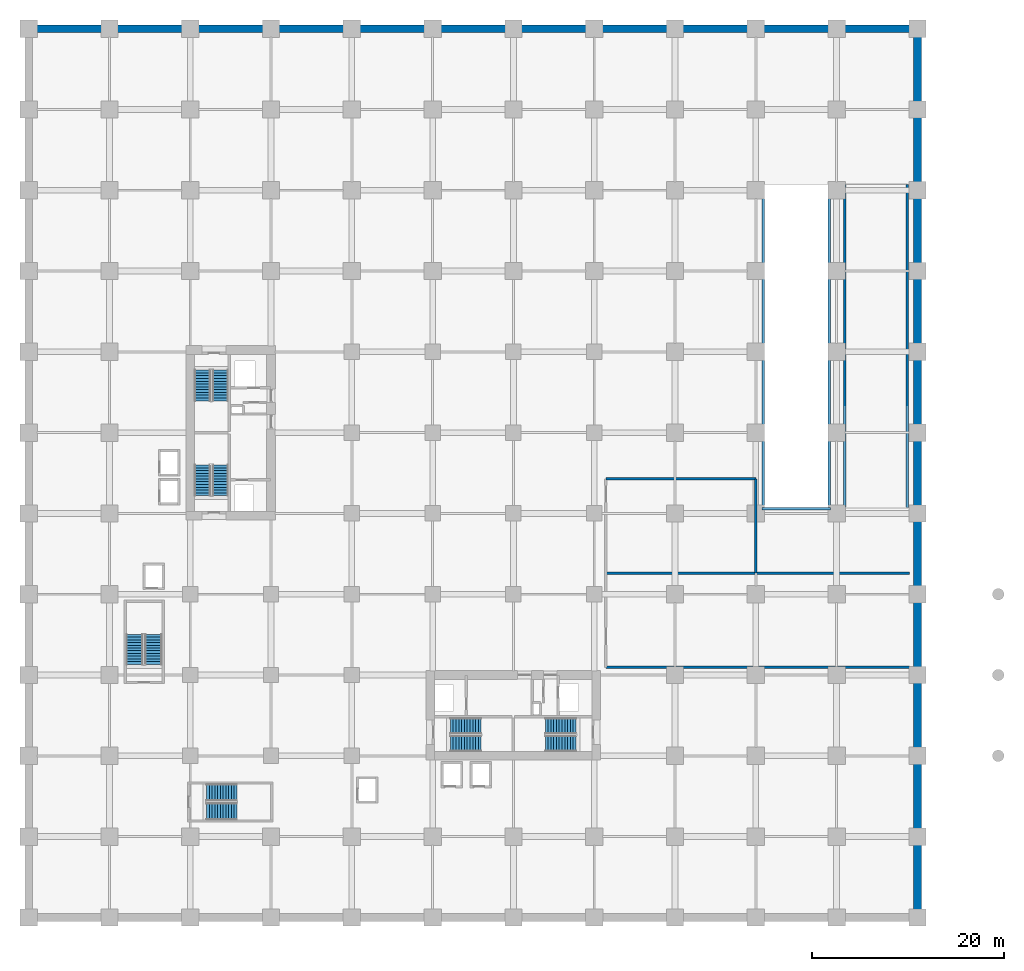
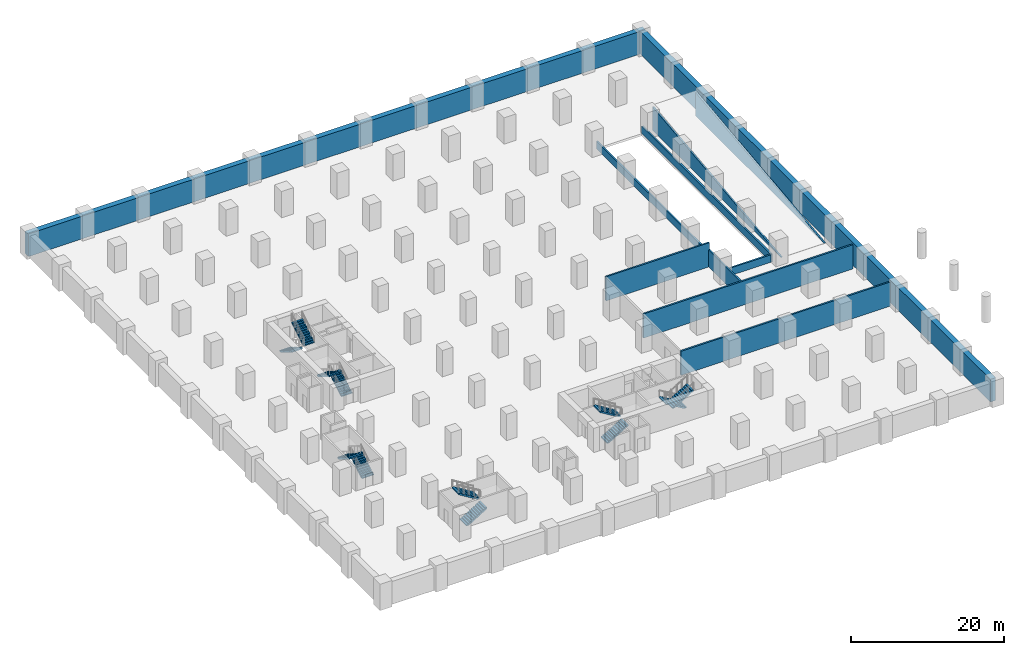
# One storey, part 10 of 13: 12 stair flights, 11 walls, 6 elements without a shape of their own.
"""IFC4 building model written with IfcOpenShell, lengths in metres."""

from ifc_helpers import new_model, si_unit, direction, frame, frame_2d, origin, place, context, subcontext, project, spatial, polyline, rectangle, outline, extrude, material, layer, layer_set, type_object, element, aggregate, save


model = new_model("IFC4")

# Units and contexts
model_context = context("Model", 3, precision=1e-05, world=origin(), true_north=direction((0.0, 1.0)))
body_context = subcontext(model_context, "Body", "Model", "MODEL_VIEW")
ifc_project = project(units=[si_unit("LENGTHUNIT", "METRE"), si_unit("AREAUNIT", "SQUARE_METRE"), si_unit("VOLUMEUNIT", "CUBIC_METRE"), si_unit("PLANEANGLEUNIT", "RADIAN"), si_unit("MASSUNIT", "GRAM", prefix="KILO")], contexts=[model_context])

# Site, building, storey
site_placement = place(None, origin())
site = spatial("IfcSite", under=ifc_project, at=site_placement, CompositionType="ELEMENT")
building_placement = place(site_placement, origin())
building = spatial("IfcBuilding", under=site, at=building_placement, Name="Koriwani Terraces Tower", CompositionType="ELEMENT")
storey_placement = place(building_placement, frame((0.0, 0.0, -4.199951171875)))
storey = spatial("IfcBuildingStorey", under=building, at=storey_placement, Name="B01", CompositionType="ELEMENT", Elevation=-4.199951171875)

# Walls
ifc_material_1 = material(Name="Concrete C50/60", Category="concrete")
ifc_layer_1 = layer(ifc_material_1, 0.800048828125, Name="Concrete C50/60")
ifc_layer_set_1 = layer_set([ifc_layer_1], Name="Concrete C50/60")
wall_type_1 = type_object("IfcWallType", Name="WALL_BASEMENT_RET_800", PredefinedType="USERDEFINED", material=ifc_layer_set_1)
wall_1_placement = place(storey_placement, frame((92.39990234375, 0.39990234375, 0.0), z_axis=(0.0, 0.0, 1.0), x_axis=(0.0, 1.0, 0.0)))
element("IfcWall", 1, at=wall_1_placement, inside=storey, type_object=wall_type_1, Name="B01 Perimeter Retaining Wall (E)", ObjectType="RETAININGWALL", PredefinedType="USERDEFINED", context=body_context, shape_type="SweptSolid", body=[
    extrude(rectangle(XDim=91.60009765625, YDim=0.800048828125, at=frame_2d((45.800048828125, 0.0))), origin(), (0.0, 0.0, 1.0), 3.619873046875),
])
wall_2_placement = place(storey_placement, frame((92.800048828125, 92.39990234375, 0.0), z_axis=(0.0, 0.0, 1.0), x_axis=(-1.0, 0.0, 0.0)))
element("IfcWall", 2, at=wall_2_placement, inside=storey, type_object=wall_type_1, Name="B01 Perimeter Retaining Wall (N)", ObjectType="RETAININGWALL", PredefinedType="USERDEFINED", context=body_context, shape_type="SweptSolid", body=[
    extrude(rectangle(XDim=93.199951171875, YDim=0.800048828125, at=frame_2d((46.60009765625, 0.0))), origin(), (0.0, 0.0, 1.0), 3.619873046875),
])
ifc_material_2 = material(Name="Concrete C40/50", Category="concrete")
ifc_layer_2 = layer(ifc_material_2, 0.25, Name="Concrete C40/50")
ifc_layer_set_2 = layer_set([ifc_layer_2], Name="Concrete C40/50")
wall_type_2 = type_object("IfcWallType", Name="WALL_SHAFT_RATED_250", PredefinedType="SOLIDWALL", material=ifc_layer_set_2)
for number, where, z_axis, x_axis, name in (
    (3, (84.85009765625, 42.60009765625, 0.0), (0.0, 0.0, 1.0), (0.0, 1.0, 0.0), "B01 Vehicle Ramp Bearing Support Wall (W)"),
    (4, (91.35009765625, 42.60009765625, 0.0), (0.0, 0.0, 1.0), (0.0, 1.0, 0.0), "B01 Vehicle Ramp Bearing Support Wall (E)"),
):
    element("IfcWall", number, at=place(storey_placement, frame(where, z_axis=z_axis, x_axis=x_axis)), inside=storey, type_object=wall_type_2, Name=name, PredefinedType="SOLIDWALL", context=body_context, shape_type="SweptSolid", body=[
        extrude(outline(polyline([(0.0, 0.0), (33.599853515625, 0.0), (33.60009765625, 3.719970703125), (0.0, 0.050048828125), (0.0, 0.0)])), frame((0.0, 0.125, 0.0), z_axis=(0.0, -1.0, 0.0), x_axis=(1.0, 0.0, 0.0)), (0.0, 0.0, 1.0), 0.25),
    ])
wall_3_placement = place(storey_placement, frame((76.375, 42.35009765625, 0.0), z_axis=(0.0, 0.0, 1.0), x_axis=(0.0, 1.0, 0.0)))
element("IfcWall", 5, at=wall_3_placement, inside=storey, type_object=wall_type_2, Name="B01 Vehicle Ramp Well Guard Parapet Wall (W)", PredefinedType="SOLIDWALL", context=body_context, shape_type="SweptSolid", body=[
    extrude(rectangle(XDim=33.849853515625, YDim=0.25, at=frame_2d((16.9248046875, 0.0))), origin(), (0.0, 0.0, 1.0), 1.199951171875),
])
wall_4_placement = place(storey_placement, frame((76.25, 42.47509765625, 0.0), z_axis=(0.0, 0.0, 1.0), x_axis=(1.0, 0.0, 0.0)))
element("IfcWall", 6, at=wall_4_placement, inside=storey, type_object=wall_type_2, Name="B01 Vehicle Ramp Well Guard Parapet Wall (S)", PredefinedType="SOLIDWALL", context=body_context, shape_type="SweptSolid", body=[
    extrude(rectangle(XDim=7.10009765625, YDim=0.25, at=frame_2d((3.550048828125, 0.0))), origin(), (0.0, 0.0, 1.0), 1.199951171875),
])
wall_5_placement = place(storey_placement, frame((83.22509765625, 42.35009765625, 0.0), z_axis=(0.0, 0.0, 1.0), x_axis=(0.0, 1.0, 0.0)))
element("IfcWall", 7, at=wall_5_placement, inside=storey, type_object=wall_type_2, Name="B01 Vehicle Ramp Well Guard Parapet Wall (E)", PredefinedType="SOLIDWALL", context=body_context, shape_type="SweptSolid", body=[
    extrude(rectangle(XDim=33.849853515625, YDim=0.25, at=frame_2d((16.9248046875, 0.0))), origin(), (0.0, 0.0, 1.0), 1.199951171875),
])
for number, where, z_axis, x_axis, name in (
    (8, (60.0, 35.800048828125, 0.0), (0.0, 0.0, 1.0), (1.0, 0.0, 0.0), "B01 Interior Wall WBAS-B01-PL2"),
    (9, (60.0, 26.0, 0.0), (0.0, 0.0, 1.0), (1.0, 0.0, 0.0), "B01 Interior Wall WBAS-B01-PL3"),
):
    element("IfcWall", number, at=place(storey_placement, frame(where, z_axis=z_axis, x_axis=x_axis)), inside=storey, type_object=wall_type_2, Name=name, PredefinedType="SOLIDWALL", context=body_context, shape_type="SweptSolid", body=[
        extrude(rectangle(XDim=31.60009765625, YDim=0.25, at=frame_2d((15.800048828125, 0.0))), origin(), (0.0, 0.0, 1.0), 3.849853515625),
    ])
wall_6_placement = place(storey_placement, frame((60.0, 45.60009765625, 0.0), z_axis=(0.0, 0.0, 1.0), x_axis=(1.0, 0.0, 0.0)))
element("IfcWall", 10, at=wall_6_placement, inside=storey, type_object=wall_type_2, Name="B01 Interior Wall WBAS-B01-PL4", PredefinedType="SOLIDWALL", context=body_context, shape_type="SweptSolid", body=[
    extrude(rectangle(XDim=15.60009765625, YDim=0.25, at=frame_2d((7.800048828125, 0.0))), origin(), (0.0, 0.0, 1.0), 3.849853515625),
])
wall_7_placement = place(storey_placement, frame((75.60009765625, 35.800048828125, 0.0), z_axis=(0.0, 0.0, 1.0), x_axis=(0.0, 1.0, 0.0)))
element("IfcWall", 11, at=wall_7_placement, inside=storey, type_object=wall_type_2, Name="B01 Interior Wall WBAS-B01-PL5", PredefinedType="SOLIDWALL", context=body_context, shape_type="SweptSolid", body=[
    extrude(rectangle(XDim=9.800048828125, YDim=0.25, at=frame_2d((4.89990234375, 0.0))), origin(), (0.0, 0.0, 1.0), 2.719970703125),
])

# Stair, stair flights
stair_type_1 = type_object("IfcStairType", Name="STAIR_PODIUM_DOGLEG_1750", PredefinedType="TWO_STRAIGHT_RUN_STAIR", material=ifc_material_2)
stair_1_placement = place(storey_placement, origin())
stair_1 = element("IfcStair", 12, at=stair_1_placement, inside=storey, type_object=stair_type_1, Name="B01 Podium West Exit Stair", PredefinedType="HALF_TURN_STAIR")
stair_flight_type_1 = type_object("IfcStairFlightType", Name="STAIR_FLIGHT_POD_1750", PredefinedType="STRAIGHT", material=ifc_material_2)
stair_flight_1_placement = place(storey_placement, frame((12.97509765625, 26.300048828125, 0.0), z_axis=(0.0, 0.0, 1.0), x_axis=(0.0, 1.0, 0.0)))
stair_flight_1 = element("IfcStairFlight", 13, at=stair_flight_1_placement, type_object=stair_flight_type_1, Name="ST-P1 flight 1", NumberOfRisers=12, NumberOfTreads=11, PredefinedType="STRAIGHT", RiserHeight=0.175, TreadLength=0.285, context=body_context, shape_type="SweptSolid", body=[
    extrude(outline(polyline([(0.0, 0.0), (0.0, 0.175048828125), (0.284912109375, 0.175048828125), (0.284912109375, 0.35009765625), (0.570068359375, 0.35009765625), (0.570068359375, 0.52490234375), (0.85498046875, 0.52490234375), (0.85498046875, 0.699951171875), (1.139892578125, 0.699951171875), (1.139892578125, 0.875), (1.425048828125, 0.875), (1.425048828125, 1.050048828125), (1.7099609375, 1.050048828125), (1.7099609375, 1.22509765625), (1.9951171875, 1.22509765625), (1.9951171875, 1.39990234375), (2.280029296875, 1.39990234375), (2.280029296875, 1.574951171875), (2.56494140625, 1.574951171875), (2.56494140625, 1.75), (2.85009765625, 1.75), (2.85009765625, 1.925048828125), (3.135009765625, 1.925048828125), (3.135009765625, 2.10009765625), (3.135009765625, 1.6904296875), (0.382080078125, 0.0), (0.0, 0.0)])), frame((0.0, 0.875, 0.0), z_axis=(0.0, -1.0, 0.0), x_axis=(1.0, 0.0, 0.0)), (0.0, 0.0, 1.0), 1.75),
])
stair_flight_2_placement = place(storey_placement, frame((11.02490234375, 29.43505859375, 2.099853515625), z_axis=(0.0, 0.0, 1.0), x_axis=(0.0, -1.0, 0.0)))
stair_flight_2 = element("IfcStairFlight", 14, at=stair_flight_2_placement, type_object=stair_flight_type_1, Name="ST-P1 flight 2", NumberOfRisers=12, NumberOfTreads=11, PredefinedType="STRAIGHT", RiserHeight=0.175, TreadLength=0.285, context=body_context, shape_type="SweptSolid", body=[
    extrude(outline(polyline([(0.0, 0.0), (0.0, 0.175048828125), (0.284912109375, 0.175048828125), (0.284912109375, 0.35009765625), (0.570068359375, 0.35009765625), (0.570068359375, 0.52490234375), (0.85498046875, 0.52490234375), (0.85498046875, 0.699951171875), (1.139892578125, 0.699951171875), (1.139892578125, 0.875), (1.425048828125, 0.875), (1.425048828125, 1.050048828125), (1.7099609375, 1.050048828125), (1.7099609375, 1.22509765625), (1.9951171875, 1.22509765625), (1.9951171875, 1.39990234375), (2.280029296875, 1.39990234375), (2.280029296875, 1.574951171875), (2.56494140625, 1.574951171875), (2.56494140625, 1.75), (2.85009765625, 1.75), (2.85009765625, 1.925048828125), (3.135009765625, 1.925048828125), (3.135009765625, 2.10009765625), (3.135009765625, 1.6904296875), (0.382080078125, 0.0), (0.0, 0.0)])), frame((0.0, 0.875, 0.0), z_axis=(0.0, -1.0, 0.0), x_axis=(1.0, 0.0, 0.0)), (0.0, 0.0, 1.0), 1.75),
])
aggregate(stair_1, [stair_flight_1, stair_flight_2])

stair_2_placement = place(storey_placement, origin())
stair_2 = element("IfcStair", 15, at=stair_2_placement, inside=storey, type_object=stair_type_1, Name="B01 Podium South Exit Stair", PredefinedType="HALF_TURN_STAIR")
stair_flight_3_placement = place(storey_placement, frame((18.5, 11.02490234375, 0.0), z_axis=(0.0, 0.0, 1.0), x_axis=(1.0, 0.0, 0.0)))
stair_flight_3 = element("IfcStairFlight", 16, at=stair_flight_3_placement, type_object=stair_flight_type_1, Name="ST-P2 flight 1", NumberOfRisers=12, NumberOfTreads=11, PredefinedType="STRAIGHT", RiserHeight=0.175, TreadLength=0.285, context=body_context, shape_type="SweptSolid", body=[
    extrude(outline(polyline([(0.0, 0.0), (0.0, 0.175048828125), (0.284912109375, 0.175048828125), (0.284912109375, 0.35009765625), (0.570068359375, 0.35009765625), (0.570068359375, 0.52490234375), (0.85498046875, 0.52490234375), (0.85498046875, 0.699951171875), (1.139892578125, 0.699951171875), (1.139892578125, 0.875), (1.425048828125, 0.875), (1.425048828125, 1.050048828125), (1.7099609375, 1.050048828125), (1.7099609375, 1.22509765625), (1.9951171875, 1.22509765625), (1.9951171875, 1.39990234375), (2.280029296875, 1.39990234375), (2.280029296875, 1.574951171875), (2.56494140625, 1.574951171875), (2.56494140625, 1.75), (2.85009765625, 1.75), (2.85009765625, 1.925048828125), (3.135009765625, 1.925048828125), (3.135009765625, 2.10009765625), (3.135009765625, 1.6904296875), (0.382080078125, 0.0), (0.0, 0.0)])), frame((0.0, 0.875, 0.0), z_axis=(0.0, -1.0, 0.0), x_axis=(1.0, 0.0, 0.0)), (0.0, 0.0, 1.0), 1.75),
])
stair_flight_4_placement = place(storey_placement, frame((21.635009765625, 12.97509765625, 2.099853515625), z_axis=(0.0, 0.0, 1.0), x_axis=(-1.0, 0.0, 0.0)))
stair_flight_4 = element("IfcStairFlight", 17, at=stair_flight_4_placement, type_object=stair_flight_type_1, Name="ST-P2 flight 2", NumberOfRisers=12, NumberOfTreads=11, PredefinedType="STRAIGHT", RiserHeight=0.175, TreadLength=0.285, context=body_context, shape_type="SweptSolid", body=[
    extrude(outline(polyline([(0.0, 0.0), (0.0, 0.175048828125), (0.284912109375, 0.175048828125), (0.284912109375, 0.35009765625), (0.570068359375, 0.35009765625), (0.570068359375, 0.52490234375), (0.85498046875, 0.52490234375), (0.85498046875, 0.699951171875), (1.139892578125, 0.699951171875), (1.139892578125, 0.875), (1.425048828125, 0.875), (1.425048828125, 1.050048828125), (1.7099609375, 1.050048828125), (1.7099609375, 1.22509765625), (1.9951171875, 1.22509765625), (1.9951171875, 1.39990234375), (2.280029296875, 1.39990234375), (2.280029296875, 1.574951171875), (2.56494140625, 1.574951171875), (2.56494140625, 1.75), (2.85009765625, 1.75), (2.85009765625, 1.925048828125), (3.135009765625, 1.925048828125), (3.135009765625, 2.10009765625), (3.135009765625, 1.6904296875), (0.382080078125, 0.0), (0.0, 0.0)])), frame((0.0, 0.875, 0.0), z_axis=(0.0, -1.0, 0.0), x_axis=(1.0, 0.0, 0.0)), (0.0, 0.0, 1.0), 1.75),
])
aggregate(stair_2, [stair_flight_3, stair_flight_4])

stair_type_2 = type_object("IfcStairType", Name="STAIR_CORE_DOGLEG_1650", PredefinedType="TWO_STRAIGHT_RUN_STAIR", material=ifc_material_2)
stair_3_placement = place(storey_placement, origin())
stair_3 = element("IfcStair", 18, at=stair_3_placement, inside=storey, type_object=stair_type_2, Name="B01 West Core Exit Stair 1", PredefinedType="HALF_TURN_STAIR")
stair_flight_type_2 = type_object("IfcStairFlightType", Name="STAIR_FLIGHT_RC_1650", PredefinedType="STRAIGHT", material=ifc_material_2)
stair_flight_5_placement = place(storey_placement, frame((19.925048828125, 43.85009765625, 0.0), z_axis=(0.0, 0.0, 1.0), x_axis=(0.0, 1.0, 0.0)))
stair_flight_5 = element("IfcStairFlight", 19, at=stair_flight_5_placement, type_object=stair_flight_type_2, Name="ST-W1 flight 1", NumberOfRisers=12, NumberOfTreads=11, PredefinedType="STRAIGHT", RiserHeight=0.175, TreadLength=0.29, context=body_context, shape_type="SweptSolid", body=[
    extrude(outline(polyline([(0.0, 0.0), (0.0, 0.175048828125), (0.2900390625, 0.175048828125), (0.2900390625, 0.35009765625), (0.580078125, 0.35009765625), (0.580078125, 0.52490234375), (0.8701171875, 0.52490234375), (0.8701171875, 0.699951171875), (1.159912109375, 0.699951171875), (1.159912109375, 0.875), (1.449951171875, 0.875), (1.449951171875, 1.050048828125), (1.739990234375, 1.050048828125), (1.739990234375, 1.22509765625), (2.030029296875, 1.22509765625), (2.030029296875, 1.39990234375), (2.320068359375, 1.39990234375), (2.320068359375, 1.574951171875), (2.610107421875, 1.574951171875), (2.610107421875, 1.75), (2.89990234375, 1.75), (2.89990234375, 1.925048828125), (3.18994140625, 1.925048828125), (3.18994140625, 2.10009765625), (3.18994140625, 1.71484375), (0.34814453125, 0.0), (0.0, 0.0)])), frame((0.0, 0.824951171875, 0.0), z_axis=(0.0, -1.0, 0.0), x_axis=(1.0, 0.0, 0.0)), (0.0, 0.0, 1.0), 1.64990234375),
])
stair_flight_6_placement = place(storey_placement, frame((18.074951171875, 47.0400390625, 2.099853515625), z_axis=(0.0, 0.0, 1.0), x_axis=(0.0, -1.0, 0.0)))
stair_flight_6 = element("IfcStairFlight", 20, at=stair_flight_6_placement, type_object=stair_flight_type_2, Name="ST-W1 flight 2", NumberOfRisers=12, NumberOfTreads=11, PredefinedType="STRAIGHT", RiserHeight=0.175, TreadLength=0.29, context=body_context, shape_type="SweptSolid", body=[
    extrude(outline(polyline([(0.0, 0.0), (0.0, 0.175048828125), (0.2900390625, 0.175048828125), (0.2900390625, 0.35009765625), (0.580078125, 0.35009765625), (0.580078125, 0.52490234375), (0.8701171875, 0.52490234375), (0.8701171875, 0.699951171875), (1.159912109375, 0.699951171875), (1.159912109375, 0.875), (1.449951171875, 0.875), (1.449951171875, 1.050048828125), (1.739990234375, 1.050048828125), (1.739990234375, 1.22509765625), (2.030029296875, 1.22509765625), (2.030029296875, 1.39990234375), (2.320068359375, 1.39990234375), (2.320068359375, 1.574951171875), (2.610107421875, 1.574951171875), (2.610107421875, 1.75), (2.89990234375, 1.75), (2.89990234375, 1.925048828125), (3.18994140625, 1.925048828125), (3.18994140625, 2.10009765625), (3.18994140625, 1.71484375), (0.34814453125, 0.0), (0.0, 0.0)])), frame((0.0, 0.824951171875, 0.0), z_axis=(0.0, -1.0, 0.0), x_axis=(1.0, 0.0, 0.0)), (0.0, 0.0, 1.0), 1.64990234375),
])
aggregate(stair_3, [stair_flight_5, stair_flight_6])

stair_4_placement = place(storey_placement, origin())
stair_4 = element("IfcStair", 21, at=stair_4_placement, inside=storey, type_object=stair_type_2, Name="B01 West Core Exit Stair 2", PredefinedType="HALF_TURN_STAIR")
stair_flight_7_placement = place(storey_placement, frame((18.074951171875, 56.89990234375, 0.0), z_axis=(0.0, 0.0, 1.0), x_axis=(0.0, -1.0, 0.0)))
stair_flight_7 = element("IfcStairFlight", 22, at=stair_flight_7_placement, type_object=stair_flight_type_2, Name="ST-W2 flight 1", NumberOfRisers=12, NumberOfTreads=11, PredefinedType="STRAIGHT", RiserHeight=0.175, TreadLength=0.29, context=body_context, shape_type="SweptSolid", body=[
    extrude(outline(polyline([(0.0, 0.0), (0.0, 0.175048828125), (0.2900390625, 0.175048828125), (0.2900390625, 0.35009765625), (0.580078125, 0.35009765625), (0.580078125, 0.52490234375), (0.8701171875, 0.52490234375), (0.8701171875, 0.699951171875), (1.159912109375, 0.699951171875), (1.159912109375, 0.875), (1.449951171875, 0.875), (1.449951171875, 1.050048828125), (1.739990234375, 1.050048828125), (1.739990234375, 1.22509765625), (2.030029296875, 1.22509765625), (2.030029296875, 1.39990234375), (2.320068359375, 1.39990234375), (2.320068359375, 1.574951171875), (2.610107421875, 1.574951171875), (2.610107421875, 1.75), (2.89990234375, 1.75), (2.89990234375, 1.925048828125), (3.18994140625, 1.925048828125), (3.18994140625, 2.10009765625), (3.18994140625, 1.71484375), (0.34814453125, 0.0), (0.0, 0.0)])), frame((0.0, 0.824951171875, 0.0), z_axis=(0.0, -1.0, 0.0), x_axis=(1.0, 0.0, 0.0)), (0.0, 0.0, 1.0), 1.64990234375),
])
stair_flight_8_placement = place(storey_placement, frame((19.925048828125, 53.7099609375, 2.099853515625), z_axis=(0.0, 0.0, 1.0), x_axis=(0.0, 1.0, 0.0)))
stair_flight_8 = element("IfcStairFlight", 23, at=stair_flight_8_placement, type_object=stair_flight_type_2, Name="ST-W2 flight 2", NumberOfRisers=12, NumberOfTreads=11, PredefinedType="STRAIGHT", RiserHeight=0.175, TreadLength=0.29, context=body_context, shape_type="SweptSolid", body=[
    extrude(outline(polyline([(0.0, 0.0), (0.0, 0.175048828125), (0.2900390625, 0.175048828125), (0.2900390625, 0.35009765625), (0.580078125, 0.35009765625), (0.580078125, 0.52490234375), (0.8701171875, 0.52490234375), (0.8701171875, 0.699951171875), (1.159912109375, 0.699951171875), (1.159912109375, 0.875), (1.449951171875, 0.875), (1.449951171875, 1.050048828125), (1.739990234375, 1.050048828125), (1.739990234375, 1.22509765625), (2.030029296875, 1.22509765625), (2.030029296875, 1.39990234375), (2.320068359375, 1.39990234375), (2.320068359375, 1.574951171875), (2.610107421875, 1.574951171875), (2.610107421875, 1.75), (2.89990234375, 1.75), (2.89990234375, 1.925048828125), (3.18994140625, 1.925048828125), (3.18994140625, 2.10009765625), (3.18994140625, 1.71484375), (0.34814453125, 0.0), (0.0, 0.0)])), frame((0.0, 0.824951171875, 0.0), z_axis=(0.0, -1.0, 0.0), x_axis=(1.0, 0.0, 0.0)), (0.0, 0.0, 1.0), 1.64990234375),
])
aggregate(stair_4, [stair_flight_7, stair_flight_8])

stair_5_placement = place(storey_placement, origin())
stair_5 = element("IfcStair", 24, at=stair_5_placement, inside=storey, type_object=stair_type_2, Name="B01 East Core Exit Stair 1", PredefinedType="HALF_TURN_STAIR")
stair_flight_9_placement = place(storey_placement, frame((43.85009765625, 18.074951171875, 0.0), z_axis=(0.0, 0.0, 1.0), x_axis=(1.0, 0.0, 0.0)))
stair_flight_9 = element("IfcStairFlight", 25, at=stair_flight_9_placement, type_object=stair_flight_type_2, Name="ST-E1 flight 1", NumberOfRisers=12, NumberOfTreads=11, PredefinedType="STRAIGHT", RiserHeight=0.175, TreadLength=0.29, context=body_context, shape_type="SweptSolid", body=[
    extrude(outline(polyline([(0.0, 0.0), (0.0, 0.175048828125), (0.2900390625, 0.175048828125), (0.2900390625, 0.35009765625), (0.580078125, 0.35009765625), (0.580078125, 0.52490234375), (0.8701171875, 0.52490234375), (0.8701171875, 0.699951171875), (1.159912109375, 0.699951171875), (1.159912109375, 0.875), (1.449951171875, 0.875), (1.449951171875, 1.050048828125), (1.739990234375, 1.050048828125), (1.739990234375, 1.22509765625), (2.030029296875, 1.22509765625), (2.030029296875, 1.39990234375), (2.320068359375, 1.39990234375), (2.320068359375, 1.574951171875), (2.610107421875, 1.574951171875), (2.610107421875, 1.75), (2.89990234375, 1.75), (2.89990234375, 1.925048828125), (3.18994140625, 1.925048828125), (3.18994140625, 2.10009765625), (3.18994140625, 1.71484375), (0.34814453125, 0.0), (0.0, 0.0)])), frame((0.0, 0.824951171875, 0.0), z_axis=(0.0, -1.0, 0.0), x_axis=(1.0, 0.0, 0.0)), (0.0, 0.0, 1.0), 1.64990234375),
])
stair_flight_10_placement = place(storey_placement, frame((47.0400390625, 19.925048828125, 2.099853515625), z_axis=(0.0, 0.0, 1.0), x_axis=(-1.0, 0.0, 0.0)))
stair_flight_10 = element("IfcStairFlight", 26, at=stair_flight_10_placement, type_object=stair_flight_type_2, Name="ST-E1 flight 2", NumberOfRisers=12, NumberOfTreads=11, PredefinedType="STRAIGHT", RiserHeight=0.175, TreadLength=0.29, context=body_context, shape_type="SweptSolid", body=[
    extrude(outline(polyline([(0.0, 0.0), (0.0, 0.175048828125), (0.2900390625, 0.175048828125), (0.2900390625, 0.35009765625), (0.580078125, 0.35009765625), (0.580078125, 0.52490234375), (0.8701171875, 0.52490234375), (0.8701171875, 0.699951171875), (1.159912109375, 0.699951171875), (1.159912109375, 0.875), (1.449951171875, 0.875), (1.449951171875, 1.050048828125), (1.739990234375, 1.050048828125), (1.739990234375, 1.22509765625), (2.030029296875, 1.22509765625), (2.030029296875, 1.39990234375), (2.320068359375, 1.39990234375), (2.320068359375, 1.574951171875), (2.610107421875, 1.574951171875), (2.610107421875, 1.75), (2.89990234375, 1.75), (2.89990234375, 1.925048828125), (3.18994140625, 1.925048828125), (3.18994140625, 2.10009765625), (3.18994140625, 1.71484375), (0.34814453125, 0.0), (0.0, 0.0)])), frame((0.0, 0.824951171875, 0.0), z_axis=(0.0, -1.0, 0.0), x_axis=(1.0, 0.0, 0.0)), (0.0, 0.0, 1.0), 1.64990234375),
])
aggregate(stair_5, [stair_flight_9, stair_flight_10])

stair_6_placement = place(storey_placement, origin())
stair_6 = element("IfcStair", 27, at=stair_6_placement, inside=storey, type_object=stair_type_2, Name="B01 East Core Exit Stair 2", PredefinedType="HALF_TURN_STAIR")
stair_flight_11_placement = place(storey_placement, frame((56.89990234375, 19.925048828125, 0.0), z_axis=(0.0, 0.0, 1.0), x_axis=(-1.0, 0.0, 0.0)))
stair_flight_11 = element("IfcStairFlight", 28, at=stair_flight_11_placement, type_object=stair_flight_type_2, Name="ST-E2 flight 1", NumberOfRisers=12, NumberOfTreads=11, PredefinedType="STRAIGHT", RiserHeight=0.175, TreadLength=0.29, context=body_context, shape_type="SweptSolid", body=[
    extrude(outline(polyline([(0.0, 0.0), (0.0, 0.175048828125), (0.2900390625, 0.175048828125), (0.2900390625, 0.35009765625), (0.580078125, 0.35009765625), (0.580078125, 0.52490234375), (0.8701171875, 0.52490234375), (0.8701171875, 0.699951171875), (1.159912109375, 0.699951171875), (1.159912109375, 0.875), (1.449951171875, 0.875), (1.449951171875, 1.050048828125), (1.739990234375, 1.050048828125), (1.739990234375, 1.22509765625), (2.030029296875, 1.22509765625), (2.030029296875, 1.39990234375), (2.320068359375, 1.39990234375), (2.320068359375, 1.574951171875), (2.610107421875, 1.574951171875), (2.610107421875, 1.75), (2.89990234375, 1.75), (2.89990234375, 1.925048828125), (3.18994140625, 1.925048828125), (3.18994140625, 2.10009765625), (3.18994140625, 1.71484375), (0.34814453125, 0.0), (0.0, 0.0)])), frame((0.0, 0.824951171875, 0.0), z_axis=(0.0, -1.0, 0.0), x_axis=(1.0, 0.0, 0.0)), (0.0, 0.0, 1.0), 1.64990234375),
])
stair_flight_12_placement = place(storey_placement, frame((53.7099609375, 18.074951171875, 2.099853515625), z_axis=(0.0, 0.0, 1.0), x_axis=(1.0, 0.0, 0.0)))
stair_flight_12 = element("IfcStairFlight", 29, at=stair_flight_12_placement, type_object=stair_flight_type_2, Name="ST-E2 flight 2", NumberOfRisers=12, NumberOfTreads=11, PredefinedType="STRAIGHT", RiserHeight=0.175, TreadLength=0.29, context=body_context, shape_type="SweptSolid", body=[
    extrude(outline(polyline([(0.0, 0.0), (0.0, 0.175048828125), (0.2900390625, 0.175048828125), (0.2900390625, 0.35009765625), (0.580078125, 0.35009765625), (0.580078125, 0.52490234375), (0.8701171875, 0.52490234375), (0.8701171875, 0.699951171875), (1.159912109375, 0.699951171875), (1.159912109375, 0.875), (1.449951171875, 0.875), (1.449951171875, 1.050048828125), (1.739990234375, 1.050048828125), (1.739990234375, 1.22509765625), (2.030029296875, 1.22509765625), (2.030029296875, 1.39990234375), (2.320068359375, 1.39990234375), (2.320068359375, 1.574951171875), (2.610107421875, 1.574951171875), (2.610107421875, 1.75), (2.89990234375, 1.75), (2.89990234375, 1.925048828125), (3.18994140625, 1.925048828125), (3.18994140625, 2.10009765625), (3.18994140625, 1.71484375), (0.34814453125, 0.0), (0.0, 0.0)])), frame((0.0, 0.824951171875, 0.0), z_axis=(0.0, -1.0, 0.0), x_axis=(1.0, 0.0, 0.0)), (0.0, 0.0, 1.0), 1.64990234375),
])
aggregate(stair_6, [stair_flight_11, stair_flight_12])

save(model, "model.ifc")
